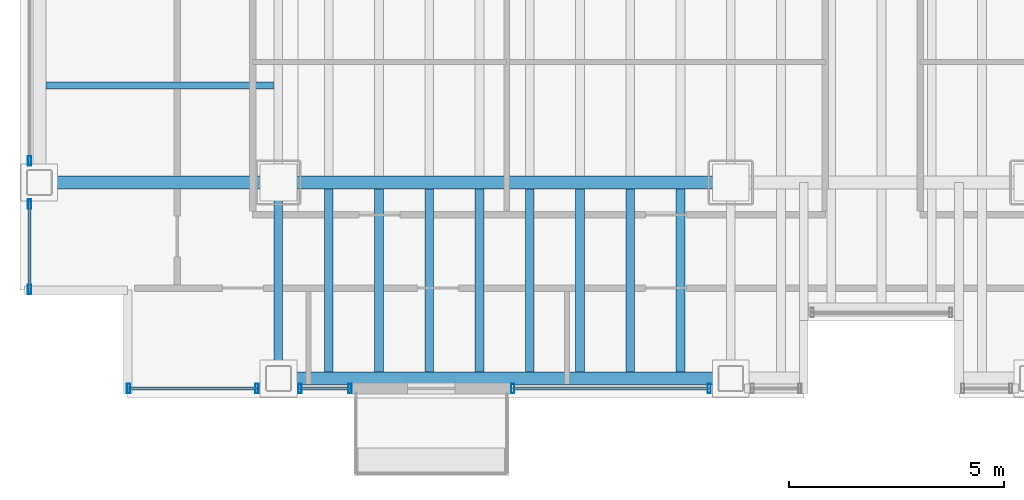
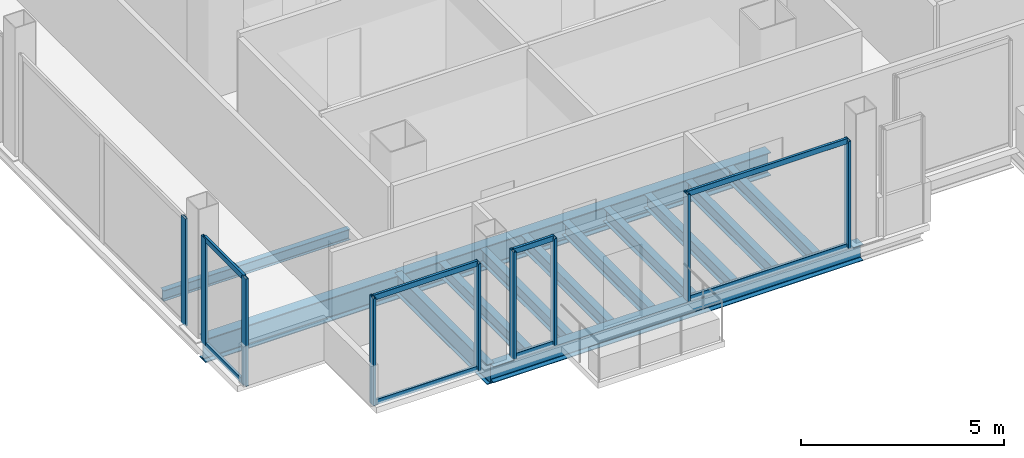
# One storey, part 2 of 20: 17 members, 13 beams, 5 elements without a shape of their own.
"""IFC4 building model written with IfcOpenShell, lengths in metres."""

import ifcopenshell
import ifcopenshell.guid

model = None  # the IFC model being written
_history = None  # IfcOwnerHistory: only IFC2X3 demands one
_inside = {}  # id of a spatial element -> (the spatial element, [elements in it])
_under = {}  # id of a project, library or spatial element -> (it, [spatial elements below it])
_declared = {}  # id of a project -> (the project, [libraries it declares])
_typed = {}  # id of a type object -> (the type object, [elements of that type])
_made_of = {}  # id of a material, layer set ... -> (it, [elements and type objects made of it])


def new_model(schema):
    """Start an empty IFC model of exactly this schema.

    Asked for "IFC4X3", IfcOpenShell would pick the latest addendum, in which some entities
    have other attributes; the version numbers below select the first issue.
    IFC2X3 requires an IfcOwnerHistory on every rooted entity: one is made here for all.
    """
    global model, _history
    if schema == "IFC4X3":
        model = ifcopenshell.file(schema_version=(4, 3, 0, 0))
    else:
        model = ifcopenshell.file(schema=schema)
    _inside.clear()
    _under.clear()
    _declared.clear()
    _typed.clear()
    _made_of.clear()
    _history = None
    if model.schema == "IFC2X3":
        org = make("IfcOrganization", Name="unknown")
        user = make(
            "IfcPersonAndOrganization",
            ThePerson=make("IfcPerson", FamilyName="unknown"),
            TheOrganization=org,
        )
        app = make(
            "IfcApplication",
            ApplicationDeveloper=org,
            Version="unknown",
            ApplicationFullName="unknown",
            ApplicationIdentifier="unknown",
        )
        _history = make(
            "IfcOwnerHistory",
            OwningUser=user,
            OwningApplication=app,
            ChangeAction="ADDED",
            CreationDate=0,
        )
    return model


def make(cls, **values):
    """One entity of the class cls with the attributes given. An attribute that is None is left unset."""
    return model.create_entity(
        cls, **{name: value for name, value in values.items() if value is not None}
    )


def rooted(cls, **values):
    """An entity with a GlobalId (a new one), such as an element, a storey or a relation."""
    return make(cls, GlobalId=ifcopenshell.guid.new(), OwnerHistory=_history, **values)


def si_unit(unit_type, name, prefix=None):
    """IfcSIUnit, for example si_unit("LENGTHUNIT", "METRE", prefix="MILLI")."""
    return make("IfcSIUnit", UnitType=unit_type, Prefix=prefix, Name=name)


def assignment(units):
    """IfcUnitAssignment: the units of a project."""
    return None if units is None else make("IfcUnitAssignment", Units=units)


def point(xyz):
    """IfcCartesianPoint."""
    return None if xyz is None else make("IfcCartesianPoint", Coordinates=xyz)


def direction(xyz):
    """IfcDirection."""
    return None if xyz is None else make("IfcDirection", DirectionRatios=xyz)


def frame(location, z_axis=None, x_axis=None):
    """IfcAxis2Placement3D, a coordinate frame: its origin and axes. An axis left out is left unset."""
    return make(
        "IfcAxis2Placement3D",
        Location=point(location),
        Axis=direction(z_axis),
        RefDirection=direction(x_axis),
    )


def frame_2d(location, x_axis=None):
    """IfcAxis2Placement2D, a coordinate frame in the plane: its origin and x axis."""
    return make(
        "IfcAxis2Placement2D", Location=point(location), RefDirection=direction(x_axis)
    )


def origin():
    """The frame at (0, 0, 0) with its axes left unset."""
    return frame((0.0, 0.0, 0.0))


def origin_2d():
    """The frame at (0, 0) in the plane with its x axis left unset."""
    return frame_2d((0.0, 0.0))


def place(relative_to, where):
    """IfcLocalPlacement: puts the frame where relative to a parent placement (None: the world)."""
    return make(
        "IfcLocalPlacement", PlacementRelTo=relative_to, RelativePlacement=where
    )


def context(
    kind, dimensions, precision=None, world=None, true_north=None, identifier=None
):
    """IfcGeometricRepresentationContext, for example the 3D "Model" context."""
    return make(
        "IfcGeometricRepresentationContext",
        ContextIdentifier=identifier,
        ContextType=kind,
        CoordinateSpaceDimension=dimensions,
        Precision=precision,
        WorldCoordinateSystem=world,
        TrueNorth=true_north,
    )


def subcontext(parent, identifier, kind, view, scale=None):
    """IfcGeometricRepresentationSubContext, for example "Body" below "Model"."""
    return make(
        "IfcGeometricRepresentationSubContext",
        ContextIdentifier=identifier,
        ContextType=kind,
        ParentContext=parent,
        TargetScale=scale,
        TargetView=view,
    )


def project(units=None, contexts=None):
    """IfcProject with its units and contexts."""
    return rooted(
        "IfcProject",
        Name="project",
        RepresentationContexts=contexts,
        UnitsInContext=assignment(units),
    )


def spatial(cls, under=None, at=None, **own):
    """A site, building, storey or space (cls), placed at a placement, below another one or the project."""
    s = rooted(cls, ObjectPlacement=at, **own)
    if under is not None:
        _under.setdefault(under.id(), (under, []))[1].append(s)
    return s


def profile(cls, at=None, kind="AREA", **sizes):
    """A parametric profile (cls). Its sizes go by their IFC names, for example OverallWidth=200.0."""
    return make(cls, ProfileType=kind, Position=at, **sizes)


def hollow_rectangle(**sizes):
    """IfcRectangleHollowProfileDef."""
    return profile("IfcRectangleHollowProfileDef", **sizes)


def i_section(**sizes):
    """IfcIShapeProfileDef."""
    return profile("IfcIShapeProfileDef", **sizes)


def extrude(swept, where, along, depth):
    """IfcExtrudedAreaSolid: the profile swept, set in the frame where, extruded along a direction by depth."""
    return make(
        "IfcExtrudedAreaSolid",
        SweptArea=swept,
        Position=where,
        ExtrudedDirection=direction(along),
        Depth=depth,
    )


def shape(context_of_items, identifier, shape_type, items):
    """IfcShapeRepresentation: the items that make up one representation, for example the "Body"."""
    return make(
        "IfcShapeRepresentation",
        ContextOfItems=context_of_items,
        RepresentationIdentifier=identifier,
        RepresentationType=shape_type,
        Items=items,
    )


def material(Name=None, Category=None):
    """IfcMaterial."""
    return make("IfcMaterial", Name=Name, Category=Category)


def material_profile(
    of_material, cross_section, Name=None, Category=None, Priority=None
):
    """IfcMaterialProfile: a cross section and its material."""
    return make(
        "IfcMaterialProfile",
        Name=Name,
        Material=of_material,
        Profile=cross_section,
        Priority=Priority,
        Category=Category,
    )


def profile_set(profiles, Name=None, composite=None):
    """IfcMaterialProfileSet."""
    return make(
        "IfcMaterialProfileSet",
        Name=Name,
        MaterialProfiles=profiles,
        CompositeProfile=composite,
    )


def made_of(thing, what):
    """Note that an element or type object is made of a material, layer set ...; save() writes the relation."""
    if what is not None:
        _made_of.setdefault(what.id(), (what, []))[1].append(thing)
    return thing


def type_object(cls, material=None, **own):
    """A type object (cls), such as IfcWallType, which elements share."""
    return made_of(rooted(cls, **own), material)


def element(
    cls,
    number,
    at=None,
    inside=None,
    cuts=None,
    type_object=None,
    material=None,
    context=None,
    identifier="Body",
    shape_type=None,
    held_by="IfcProductDefinitionShape",
    body=None,
    shapes=None,
    **own,
):
    """One element of the class cls, such as IfcWall. Its Tag is "e" and its number.

    at: its placement. inside: the storey or other place that contains it. cuts: it is an
    opening in that element (IfcRelVoidsElement). A single representation is given by context,
    identifier, shape_type and body (its items); several are given by shapes. held_by: the class
    of the entity that holds the representations. save() writes the other relations.
    """
    e = rooted(cls, Tag="e%d" % number, ObjectPlacement=at, **own)
    if body is not None:
        shapes = [shape(context, identifier, shape_type, body)]
    if shapes is not None:
        e.Representation = make(held_by, Representations=shapes)
    if inside is not None:
        _inside.setdefault(inside.id(), (inside, []))[1].append(e)
    if cuts is not None:
        rooted(
            "IfcRelVoidsElement", RelatingBuildingElement=cuts, RelatedOpeningElement=e
        )
    if type_object is not None:
        _typed.setdefault(type_object.id(), (type_object, []))[1].append(e)
    return made_of(e, material)


def aggregate(whole, parts):
    """IfcRelAggregates: a whole, such as a stair, and the parts it consists of."""
    return rooted("IfcRelAggregates", RelatingObject=whole, RelatedObjects=parts)


def save(model, path):
    """Write the relations noted so far, then the file.

    IfcRelAggregates (storeys below a building ...), IfcRelContainedInSpatialStructure (elements
    in a storey), IfcRelDefinesByType, IfcRelAssociatesMaterial and IfcRelDeclares: one each for
    every whole, place, type object, material and project.
    """
    for whole, parts in _under.values():
        aggregate(whole, parts)
    for where, things in _inside.values():
        rooted(
            "IfcRelContainedInSpatialStructure",
            RelatedElements=things,
            RelatingStructure=where,
        )
    for kind, things in _typed.values():
        rooted("IfcRelDefinesByType", RelatedObjects=things, RelatingType=kind)
    for what, things in _made_of.values():
        rooted("IfcRelAssociatesMaterial", RelatedObjects=things, RelatingMaterial=what)
    for by, libraries in _declared.values():
        rooted("IfcRelDeclares", RelatingContext=by, RelatedDefinitions=libraries)
    model.write(path)


model = new_model("IFC4")

# Units and contexts
model_context = context("Model", 3, precision=1e-05, world=origin(), true_north=direction((0.0, 1.0)))
body_context = subcontext(model_context, "Body", "Model", "MODEL_VIEW")
ifc_project = project(units=[si_unit("LENGTHUNIT", "METRE"), si_unit("AREAUNIT", "SQUARE_METRE"), si_unit("VOLUMEUNIT", "CUBIC_METRE"), si_unit("PLANEANGLEUNIT", "RADIAN"), si_unit("MASSUNIT", "GRAM", prefix="KILO")], contexts=[model_context])

# Site, building, storey
site_placement = place(None, origin())
site = spatial("IfcSite", under=ifc_project, at=site_placement, CompositionType="ELEMENT")
building_placement = place(site_placement, origin())
building = spatial("IfcBuilding", under=site, at=building_placement, Name="Noeulbin Bourse Tower", CompositionType="ELEMENT")
storey_placement = place(building_placement, frame((0.0, 0.0, 65.5)))
storey = spatial("IfcBuildingStorey", under=building, at=storey_placement, Name="L16", CompositionType="ELEMENT", Elevation=65.5)

# Beams
ifc_material_1 = material(Name="Steel S355", Category="steel")
ifc_material_profile_1 = material_profile(ifc_material_1, i_section(OverallWidth=0.199951171875, OverallDepth=0.60009765625, WebThickness=0.010986328125, FlangeThickness=0.01708984375, FilletRadius=0.02197265625, at=origin_2d()), Name="H-600x200x11x17", Category="LoadBearing")
ifc_profile_set_1 = profile_set([ifc_material_profile_1], Name="Steel S355")
beam_type_1 = type_object("IfcBeamType", Name="BM-GRD-600", PredefinedType="USERDEFINED", material=ifc_profile_set_1)
beam_1_placement = place(storey_placement, frame((13.5, 15.449951171875, -0.47998046875), z_axis=(0.0, 1.0, 0.0), x_axis=(-1.0, 0.0, 0.0)))
element("IfcBeam", 1, at=beam_1_placement, inside=storey, type_object=beam_type_1, Name="Tower Primary Girder NS L16-1.1", ObjectType="GIRDER", PredefinedType="USERDEFINED", context=body_context, shape_type="SweptSolid", body=[
    extrude(i_section(OverallWidth=0.199951171875, OverallDepth=0.60009765625, WebThickness=0.010986328125, FlangeThickness=0.01708984375, FilletRadius=0.02197265625, at=origin_2d()), origin(), (0.0, 0.0, 1.0), 4.550048828125),
])
ifc_material_profile_2 = material_profile(ifc_material_1, i_section(OverallWidth=0.300048828125, OverallDepth=0.699951171875, WebThickness=0.012939453125, FlangeThickness=0.02392578125, FilletRadius=0.02392578125, at=origin_2d()), Name="H-700x300x13x24", Category="LoadBearing")
ifc_profile_set_2 = profile_set([ifc_material_profile_2], Name="Steel S355")
beam_type_2 = type_object("IfcBeamType", Name="BM-GRD-700", PredefinedType="USERDEFINED", material=ifc_profile_set_2)
beam_2_placement = place(storey_placement, frame((7.949951171875, 20.0, -0.530029296875), z_axis=(1.0, 0.0, 0.0), x_axis=(0.0, 1.0, 0.0)))
element("IfcBeam", 2, at=beam_2_placement, inside=storey, type_object=beam_type_2, Name="Tower Primary Girder EW L16-1.1", ObjectType="GIRDER", PredefinedType="USERDEFINED", context=body_context, shape_type="SweptSolid", body=[
    extrude(i_section(OverallWidth=0.300048828125, OverallDepth=0.699951171875, WebThickness=0.012939453125, FlangeThickness=0.02392578125, FilletRadius=0.02392578125, at=origin_2d()), origin(), (0.0, 0.0, 1.0), 5.550048828125),
])
beam_3_placement = place(storey_placement, frame((13.5, 20.0, -0.530029296875), z_axis=(1.0, 0.0, 0.0), x_axis=(0.0, 1.0, 0.0)))
element("IfcBeam", 3, at=beam_3_placement, inside=storey, type_object=beam_type_2, Name="Tower Primary Girder EW L16-1.2", ObjectType="GIRDER", PredefinedType="USERDEFINED", context=body_context, shape_type="SweptSolid", body=[
    extrude(i_section(OverallWidth=0.300048828125, OverallDepth=0.699951171875, WebThickness=0.012939453125, FlangeThickness=0.02392578125, FilletRadius=0.02392578125, at=origin_2d()), origin(), (0.0, 0.0, 1.0), 10.5),
])
ifc_material_profile_3 = material_profile(ifc_material_1, i_section(OverallWidth=0.159912109375, OverallDepth=0.320068359375, WebThickness=0.006591796875, FlangeThickness=0.010009765625, FilletRadius=0.012939453125, at=origin_2d()), Name="H-320x160x6.5x10", Category="LoadBearing")
ifc_profile_set_3 = profile_set([ifc_material_profile_3], Name="Steel S355")
beam_type_3 = type_object("IfcBeamType", Name="BM-JST-320", PredefinedType="JOIST", material=ifc_profile_set_3)
beam_4_placement = place(storey_placement, frame((8.10009765625, 22.25, -0.340087890625), z_axis=(1.0, 0.0, 0.0), x_axis=(0.0, 1.0, 0.0)))
element("IfcBeam", 4, at=beam_4_placement, inside=storey, type_object=beam_type_3, Name="Wing Composite Joist L16-W70", PredefinedType="JOIST", context=body_context, shape_type="SweptSolid", body=[
    extrude(i_section(OverallWidth=0.159912109375, OverallDepth=0.320068359375, WebThickness=0.006591796875, FlangeThickness=0.010009765625, FilletRadius=0.012939453125, at=origin_2d()), origin(), (0.0, 0.0, 1.0), 5.2998046875),
])
ifc_material_profile_4 = material_profile(ifc_material_1, i_section(OverallWidth=0.199951171875, OverallDepth=0.39990234375, WebThickness=0.008056640625, FlangeThickness=0.012939453125, FilletRadius=0.01611328125, at=origin_2d()), Name="H-400x200x8x13", Category="LoadBearing")
ifc_profile_set_4 = profile_set([ifc_material_profile_4], Name="Steel S355")
beam_type_4 = type_object("IfcBeamType", Name="BM-SEC-400", PredefinedType="BEAM", material=ifc_profile_set_4)
for number, where, z_axis, x_axis, name in (
    (5, (14.666748046875, 15.60009765625, -0.3798828125), (0.0, 1.0, 0.0), (-1.0, 0.0, 0.0), "Tower Composite Joist L16-01"),
    (6, (15.833251953125, 15.60009765625, -0.3798828125), (0.0, 1.0, 0.0), (-1.0, 0.0, 0.0), "Tower Composite Joist L16-04"),
    (7, (17.0, 15.60009765625, -0.3798828125), (0.0, 1.0, 0.0), (-1.0, 0.0, 0.0), "Tower Composite Joist L16-07"),
    (8, (18.166748046875, 15.60009765625, -0.3798828125), (0.0, 1.0, 0.0), (-1.0, 0.0, 0.0), "Tower Composite Joist L16-10"),
    (9, (19.333251953125, 15.60009765625, -0.3798828125), (0.0, 1.0, 0.0), (-1.0, 0.0, 0.0), "Tower Composite Joist L16-13"),
    (10, (20.5, 15.60009765625, -0.3798828125), (0.0, 1.0, 0.0), (-1.0, 0.0, 0.0), "Tower Composite Joist L16-16"),
    (11, (21.666748046875, 15.60009765625, -0.3798828125), (0.0, 1.0, 0.0), (-1.0, 0.0, 0.0), "Tower Composite Joist L16-19"),
    (12, (22.833251953125, 15.60009765625, -0.3798828125), (0.0, 1.0, 0.0), (-1.0, 0.0, 0.0), "Tower Composite Joist L16-22"),
):
    element("IfcBeam", number, at=place(storey_placement, frame(where, z_axis=z_axis, x_axis=x_axis)), inside=storey, type_object=beam_type_4, Name=name, PredefinedType="BEAM", context=body_context, shape_type="SweptSolid", body=[
        extrude(i_section(OverallWidth=0.199951171875, OverallDepth=0.39990234375, WebThickness=0.008056640625, FlangeThickness=0.012939453125, FilletRadius=0.01611328125, at=origin_2d()), origin(), (0.0, 0.0, 1.0), 4.25),
    ])
ifc_material_profile_5 = material_profile(ifc_material_1, i_section(OverallWidth=0.300048828125, OverallDepth=0.488037109375, WebThickness=0.010986328125, FlangeThickness=0.01806640625, FilletRadius=0.02197265625, at=origin_2d()), Name="H-488x300x11x18", Category="LoadBearing")
ifc_profile_set_5 = profile_set([ifc_material_profile_5], Name="Steel S355")
beam_type_5 = type_object("IfcBeamType", Name="BM-SPN-488", PredefinedType="SPANDREL", material=ifc_profile_set_5)
beam_5_placement = place(storey_placement, frame((13.5, 15.449951171875, -0.424072265625), z_axis=(1.0, 0.0, 0.0), x_axis=(0.0, 1.0, 0.0)))
element("IfcBeam", 13, at=beam_5_placement, inside=storey, type_object=beam_type_5, Name="South Spandrel L16-1", PredefinedType="SPANDREL", context=body_context, shape_type="SweptSolid", body=[
    extrude(i_section(OverallWidth=0.300048828125, OverallDepth=0.488037109375, WebThickness=0.010986328125, FlangeThickness=0.01806640625, FilletRadius=0.02197265625, at=origin_2d()), origin(), (0.0, 0.0, 1.0), 10.5),
])

# Curtain wall, members
ifc_material_2 = material(Name="Dark Solar-Control Double Glazing", Category="glass")
curtain_wall_type = type_object("IfcCurtainWallType", Name="CW-SYS-2", PredefinedType="NOTDEFINED", material=ifc_material_2)
curtain_wall_1_placement = place(storey_placement, origin())
curtain_wall_1 = element("IfcCurtainWall", 14, at=curtain_wall_1_placement, inside=storey, type_object=curtain_wall_type, Name="Unitised Curtain Wall CW-L16-S1-S1", PredefinedType="NOTDEFINED")
ifc_material_3 = material(Name="Anodised Aluminium 6063-T6", Category="aluminium")
ifc_material_profile_6 = material_profile(ifc_material_3, hollow_rectangle(XDim=0.074951171875, YDim=0.219970703125, WallThickness=0.0048828125, InnerFilletRadius=0.00244140625, OuterFilletRadius=0.0048828125, at=origin_2d()), Name="ALU-MULL-75x220x5", Category="LoadBearing")
ifc_profile_set_6 = profile_set([ifc_material_profile_6], Name="Anodised Aluminium 6063-T6")
member_type_1 = type_object("IfcMemberType", Name="CW-SYS-2-MUL", PredefinedType="MULLION", material=ifc_profile_set_6)
member_1_placement = place(storey_placement, frame((10.02001953125, 15.219970703125, -0.02001953125), z_axis=(0.0, 0.0, 1.0), x_axis=(1.0, 0.0, 0.0)))
member_1 = element("IfcMember", 15, at=member_1_placement, type_object=member_type_1, Name="Curtain Wall Mullion CW-L16-S1-S1-M00", PredefinedType="MULLION", context=body_context, shape_type="SweptSolid", body=[
    extrude(hollow_rectangle(XDim=0.074951171875, YDim=0.219970703125, WallThickness=0.0048828125, InnerFilletRadius=0.00244140625, OuterFilletRadius=0.0048828125, at=origin_2d()), origin(), (0.0, 0.0, 1.0), 3.219970703125),
])
member_2_placement = place(storey_placement, frame((13.0, 15.219970703125, -0.02001953125), z_axis=(0.0, 0.0, 1.0), x_axis=(1.0, 0.0, 0.0)))
member_2 = element("IfcMember", 16, at=member_2_placement, type_object=member_type_1, Name="Curtain Wall Mullion CW-L16-S1-S1-M01", PredefinedType="MULLION", context=body_context, shape_type="SweptSolid", body=[
    extrude(hollow_rectangle(XDim=0.074951171875, YDim=0.219970703125, WallThickness=0.0048828125, InnerFilletRadius=0.00244140625, OuterFilletRadius=0.0048828125, at=origin_2d()), origin(), (0.0, 0.0, 1.0), 3.219970703125),
])

curtain_wall_2_placement = place(storey_placement, origin())
curtain_wall_2 = element("IfcCurtainWall", 17, at=curtain_wall_2_placement, inside=storey, type_object=curtain_wall_type, Name="Unitised Curtain Wall CW-L16-S1-S2", PredefinedType="NOTDEFINED")
member_3_placement = place(storey_placement, frame((14.0, 15.219970703125, -0.02001953125), z_axis=(0.0, 0.0, 1.0), x_axis=(1.0, 0.0, 0.0)))
member_3 = element("IfcMember", 18, at=member_3_placement, type_object=member_type_1, Name="Curtain Wall Mullion CW-L16-S1-S2-M00", PredefinedType="MULLION", context=body_context, shape_type="SweptSolid", body=[
    extrude(hollow_rectangle(XDim=0.074951171875, YDim=0.219970703125, WallThickness=0.0048828125, InnerFilletRadius=0.00244140625, OuterFilletRadius=0.0048828125, at=origin_2d()), origin(), (0.0, 0.0, 1.0), 3.219970703125),
])
member_4_placement = place(storey_placement, frame((15.159912109375, 15.219970703125, -0.02001953125), z_axis=(0.0, 0.0, 1.0), x_axis=(1.0, 0.0, 0.0)))
member_4 = element("IfcMember", 19, at=member_4_placement, type_object=member_type_1, Name="Curtain Wall Mullion CW-L16-S1-S2-M01", PredefinedType="MULLION", context=body_context, shape_type="SweptSolid", body=[
    extrude(hollow_rectangle(XDim=0.074951171875, YDim=0.219970703125, WallThickness=0.0048828125, InnerFilletRadius=0.00244140625, OuterFilletRadius=0.0048828125, at=origin_2d()), origin(), (0.0, 0.0, 1.0), 3.219970703125),
])

curtain_wall_3_placement = place(storey_placement, origin())
curtain_wall_3 = element("IfcCurtainWall", 20, at=curtain_wall_3_placement, inside=storey, type_object=curtain_wall_type, Name="Unitised Curtain Wall CW-L16-S2-S1", PredefinedType="NOTDEFINED")
member_5_placement = place(storey_placement, frame((18.93994140625, 15.219970703125, -0.02001953125), z_axis=(0.0, 0.0, 1.0), x_axis=(1.0, 0.0, 0.0)))
member_5 = element("IfcMember", 21, at=member_5_placement, type_object=member_type_1, Name="Curtain Wall Mullion CW-L16-S2-S1-M00", PredefinedType="MULLION", context=body_context, shape_type="SweptSolid", body=[
    extrude(hollow_rectangle(XDim=0.074951171875, YDim=0.219970703125, WallThickness=0.0048828125, InnerFilletRadius=0.00244140625, OuterFilletRadius=0.0048828125, at=origin_2d()), origin(), (0.0, 0.0, 1.0), 3.219970703125),
])
member_6_placement = place(storey_placement, frame((23.5, 15.219970703125, -0.02001953125), z_axis=(0.0, 0.0, 1.0), x_axis=(1.0, 0.0, 0.0)))
member_6 = element("IfcMember", 22, at=member_6_placement, type_object=member_type_1, Name="Curtain Wall Mullion CW-L16-S2-S1-M01", PredefinedType="MULLION", context=body_context, shape_type="SweptSolid", body=[
    extrude(hollow_rectangle(XDim=0.074951171875, YDim=0.219970703125, WallThickness=0.0048828125, InnerFilletRadius=0.00244140625, OuterFilletRadius=0.0048828125, at=origin_2d()), origin(), (0.0, 0.0, 1.0), 3.219970703125),
])

curtain_wall_4_placement = place(storey_placement, origin())
curtain_wall_4 = element("IfcCurtainWall", 23, at=curtain_wall_4_placement, inside=storey, type_object=curtain_wall_type, Name="Unitised Curtain Wall CW-L16-W-S1", PredefinedType="NOTDEFINED")
member_7_placement = place(storey_placement, frame((7.719970703125, 17.52001953125, -0.02001953125), z_axis=(0.0, 0.0, 1.0), x_axis=(1.0, 0.0, 0.0)))
member_7 = element("IfcMember", 24, at=member_7_placement, type_object=member_type_1, Name="Curtain Wall Mullion CW-L16-W-S1-M00", PredefinedType="MULLION", context=body_context, shape_type="SweptSolid", body=[
    extrude(hollow_rectangle(XDim=0.074951171875, YDim=0.219970703125, WallThickness=0.0048828125, InnerFilletRadius=0.00244140625, OuterFilletRadius=0.0048828125, at=origin_2d()), origin(), (0.0, 0.0, 1.0), 3.219970703125),
])
member_8_placement = place(storey_placement, frame((7.719970703125, 19.5, -0.02001953125), z_axis=(0.0, 0.0, 1.0), x_axis=(1.0, 0.0, 0.0)))
member_8 = element("IfcMember", 25, at=member_8_placement, type_object=member_type_1, Name="Curtain Wall Mullion CW-L16-W-S1-M01", PredefinedType="MULLION", context=body_context, shape_type="SweptSolid", body=[
    extrude(hollow_rectangle(XDim=0.074951171875, YDim=0.219970703125, WallThickness=0.0048828125, InnerFilletRadius=0.00244140625, OuterFilletRadius=0.0048828125, at=origin_2d()), origin(), (0.0, 0.0, 1.0), 3.219970703125),
])

# Curtain wall, member
curtain_wall_5_placement = place(storey_placement, origin())
curtain_wall_5 = element("IfcCurtainWall", 26, at=curtain_wall_5_placement, inside=storey, type_object=curtain_wall_type, Name="Unitised Curtain Wall CW-L16-W-S2", PredefinedType="NOTDEFINED")
member_9_placement = place(storey_placement, frame((7.719970703125, 20.5, -0.02001953125), z_axis=(0.0, 0.0, 1.0), x_axis=(1.0, 0.0, 0.0)))
member_9 = element("IfcMember", 27, at=member_9_placement, type_object=member_type_1, Name="Curtain Wall Mullion CW-L16-W-S2-M00", PredefinedType="MULLION", context=body_context, shape_type="SweptSolid", body=[
    extrude(hollow_rectangle(XDim=0.074951171875, YDim=0.219970703125, WallThickness=0.0048828125, InnerFilletRadius=0.00244140625, OuterFilletRadius=0.0048828125, at=origin_2d()), origin(), (0.0, 0.0, 1.0), 3.219970703125),
])
aggregate(curtain_wall_5, [member_9])

# Member
ifc_material_profile_7 = material_profile(ifc_material_3, hollow_rectangle(XDim=0.074951171875, YDim=0.159912109375, WallThickness=0.0048828125, InnerFilletRadius=0.00244140625, OuterFilletRadius=0.0048828125, at=origin_2d()), Name="ALU-TRAN-75x160x5", Category="LoadBearing")
ifc_profile_set_7 = profile_set([ifc_material_profile_7], Name="Anodised Aluminium 6063-T6")
member_type_2 = type_object("IfcMemberType", Name="CW-SYS-2-TRN", PredefinedType="USERDEFINED", material=ifc_profile_set_7)
member_10_placement = place(storey_placement, frame((10.030029296875, 15.219970703125, 0.010009765625), z_axis=(1.0, 0.0, 0.0), x_axis=(0.0, 1.0, 0.0)))
member_10 = element("IfcMember", 28, at=member_10_placement, type_object=member_type_2, Name="Curtain Wall Transom CW-L16-S1-S1-T00", ObjectType="TRANSOM", PredefinedType="USERDEFINED", context=body_context, shape_type="SweptSolid", body=[
    extrude(hollow_rectangle(XDim=0.074951171875, YDim=0.159912109375, WallThickness=0.0048828125, InnerFilletRadius=0.00244140625, OuterFilletRadius=0.0048828125, at=origin_2d()), origin(), (0.0, 0.0, 1.0), 2.9599609375),
])

member_11_placement = place(storey_placement, frame((10.030029296875, 15.219970703125, 3.169921875), z_axis=(1.0, 0.0, 0.0), x_axis=(0.0, 1.0, 0.0)))
member_11 = element("IfcMember", 29, at=member_11_placement, type_object=member_type_2, Name="Curtain Wall Transom CW-L16-S1-S1-T01", ObjectType="TRANSOM", PredefinedType="USERDEFINED", context=body_context, shape_type="SweptSolid", body=[
    extrude(hollow_rectangle(XDim=0.074951171875, YDim=0.159912109375, WallThickness=0.0048828125, InnerFilletRadius=0.00244140625, OuterFilletRadius=0.0048828125, at=origin_2d()), origin(), (0.0, 0.0, 1.0), 2.9599609375),
])

aggregate(curtain_wall_1, [member_1, member_2, member_10, member_11])

member_12_placement = place(storey_placement, frame((14.010009765625, 15.219970703125, 0.010009765625), z_axis=(1.0, 0.0, 0.0), x_axis=(0.0, 1.0, 0.0)))
member_12 = element("IfcMember", 30, at=member_12_placement, type_object=member_type_2, Name="Curtain Wall Transom CW-L16-S1-S2-T00", ObjectType="TRANSOM", PredefinedType="USERDEFINED", context=body_context, shape_type="SweptSolid", body=[
    extrude(hollow_rectangle(XDim=0.074951171875, YDim=0.159912109375, WallThickness=0.0048828125, InnerFilletRadius=0.00244140625, OuterFilletRadius=0.0048828125, at=origin_2d()), origin(), (0.0, 0.0, 1.0), 1.139892578125),
])

member_13_placement = place(storey_placement, frame((14.010009765625, 15.219970703125, 3.169921875), z_axis=(1.0, 0.0, 0.0), x_axis=(0.0, 1.0, 0.0)))
member_13 = element("IfcMember", 31, at=member_13_placement, type_object=member_type_2, Name="Curtain Wall Transom CW-L16-S1-S2-T01", ObjectType="TRANSOM", PredefinedType="USERDEFINED", context=body_context, shape_type="SweptSolid", body=[
    extrude(hollow_rectangle(XDim=0.074951171875, YDim=0.159912109375, WallThickness=0.0048828125, InnerFilletRadius=0.00244140625, OuterFilletRadius=0.0048828125, at=origin_2d()), origin(), (0.0, 0.0, 1.0), 1.139892578125),
])

aggregate(curtain_wall_2, [member_3, member_4, member_12, member_13])

member_14_placement = place(storey_placement, frame((18.949951171875, 15.219970703125, 0.010009765625), z_axis=(1.0, 0.0, 0.0), x_axis=(0.0, 1.0, 0.0)))
member_14 = element("IfcMember", 32, at=member_14_placement, type_object=member_type_2, Name="Curtain Wall Transom CW-L16-S2-S1-T00", ObjectType="TRANSOM", PredefinedType="USERDEFINED", context=body_context, shape_type="SweptSolid", body=[
    extrude(hollow_rectangle(XDim=0.074951171875, YDim=0.159912109375, WallThickness=0.0048828125, InnerFilletRadius=0.00244140625, OuterFilletRadius=0.0048828125, at=origin_2d()), origin(), (0.0, 0.0, 1.0), 4.5400390625),
])

member_15_placement = place(storey_placement, frame((18.949951171875, 15.219970703125, 3.169921875), z_axis=(1.0, 0.0, 0.0), x_axis=(0.0, 1.0, 0.0)))
member_15 = element("IfcMember", 33, at=member_15_placement, type_object=member_type_2, Name="Curtain Wall Transom CW-L16-S2-S1-T01", ObjectType="TRANSOM", PredefinedType="USERDEFINED", context=body_context, shape_type="SweptSolid", body=[
    extrude(hollow_rectangle(XDim=0.074951171875, YDim=0.159912109375, WallThickness=0.0048828125, InnerFilletRadius=0.00244140625, OuterFilletRadius=0.0048828125, at=origin_2d()), origin(), (0.0, 0.0, 1.0), 4.5400390625),
])

aggregate(curtain_wall_3, [member_5, member_6, member_14, member_15])

member_16_placement = place(storey_placement, frame((7.719970703125, 17.530029296875, 0.010009765625), z_axis=(0.0, 1.0, 0.0), x_axis=(-1.0, 0.0, 0.0)))
member_16 = element("IfcMember", 34, at=member_16_placement, type_object=member_type_2, Name="Curtain Wall Transom CW-L16-W-S1-T00", ObjectType="TRANSOM", PredefinedType="USERDEFINED", context=body_context, shape_type="SweptSolid", body=[
    extrude(hollow_rectangle(XDim=0.074951171875, YDim=0.159912109375, WallThickness=0.0048828125, InnerFilletRadius=0.00244140625, OuterFilletRadius=0.0048828125, at=origin_2d()), origin(), (0.0, 0.0, 1.0), 1.9599609375),
])

member_17_placement = place(storey_placement, frame((7.719970703125, 17.530029296875, 3.169921875), z_axis=(0.0, 1.0, 0.0), x_axis=(-1.0, 0.0, 0.0)))
member_17 = element("IfcMember", 35, at=member_17_placement, type_object=member_type_2, Name="Curtain Wall Transom CW-L16-W-S1-T01", ObjectType="TRANSOM", PredefinedType="USERDEFINED", context=body_context, shape_type="SweptSolid", body=[
    extrude(hollow_rectangle(XDim=0.074951171875, YDim=0.159912109375, WallThickness=0.0048828125, InnerFilletRadius=0.00244140625, OuterFilletRadius=0.0048828125, at=origin_2d()), origin(), (0.0, 0.0, 1.0), 1.9599609375),
])

aggregate(curtain_wall_4, [member_7, member_8, member_16, member_17])

save(model, "model.ifc")
